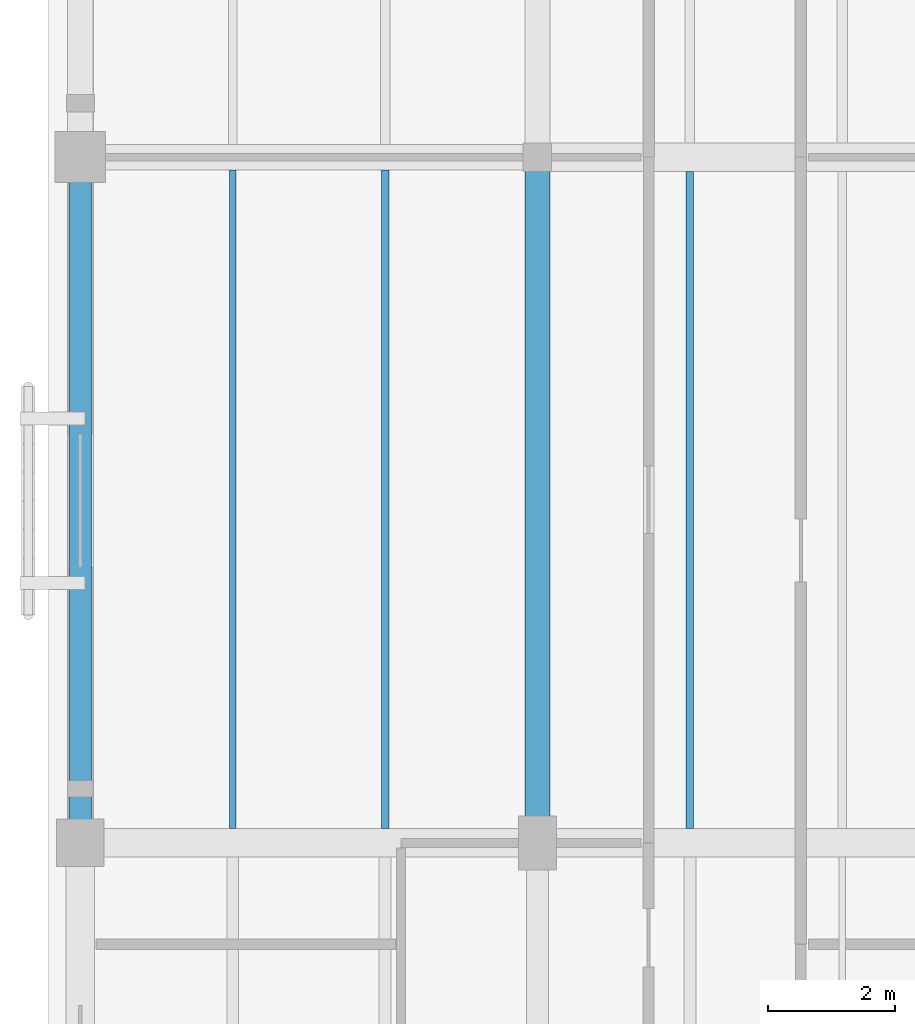
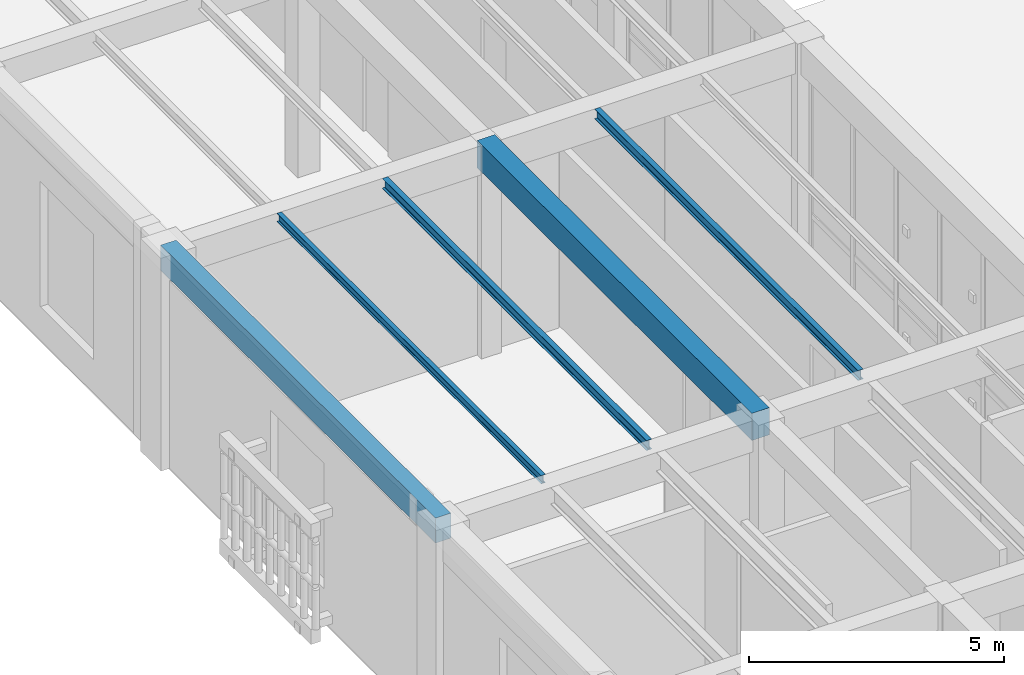
# One storey, part 29 of 169: 5 beams.
"""IFC4 building model written with IfcOpenShell, lengths in metres."""

from ifc_helpers import new_model, si_unit, direction, frame, origin, origin_2d, place, context, subcontext, project, spatial, rectangle, i_section, extrude, material, material_profile, profile_set, type_object, element, save


model = new_model("IFC4")

# Units and contexts
model_context = context("Model", 3, precision=1e-05, world=origin(), true_north=direction((0.0, 1.0)))
body_context = subcontext(model_context, "Body", "Model", "MODEL_VIEW")
ifc_project = project(units=[si_unit("LENGTHUNIT", "METRE"), si_unit("AREAUNIT", "SQUARE_METRE"), si_unit("VOLUMEUNIT", "CUBIC_METRE"), si_unit("PLANEANGLEUNIT", "RADIAN"), si_unit("MASSUNIT", "GRAM", prefix="KILO")], contexts=[model_context])

# Site, building, storey
site_placement = place(None, origin())
site = spatial("IfcSite", under=ifc_project, at=site_placement, CompositionType="ELEMENT")
building_placement = place(site_placement, origin())
building = spatial("IfcBuilding", under=site, at=building_placement, Name="Mazaris Harbour Polytechnic", CompositionType="ELEMENT")
storey_placement = place(building_placement, origin())
storey = spatial("IfcBuildingStorey", under=building, at=storey_placement, Name="L00", CompositionType="ELEMENT", Elevation=0.0)

# Beams
ifc_material_1 = material(Name="Concrete C35/45", Category="concrete")
ifc_material_profile_1 = material_profile(ifc_material_1, rectangle(XDim=0.35009765625, YDim=0.60009765625, at=origin_2d()), Name="RECT350x600")
ifc_profile_set_1 = profile_set([ifc_material_profile_1], Name="Concrete C35/45")
beam_type_1 = type_object("IfcBeamType", Name="RC Girder 350x600 Exterior", PredefinedType="BEAM", material=ifc_profile_set_1)
beam_1_placement = place(storey_placement, frame((0.0, 43.199951171875, 4.800048828125), z_axis=(0.0, 1.0, 0.0), x_axis=(-1.0, 0.0, 0.0)))
element("IfcBeam", 1, at=beam_1_placement, inside=storey, type_object=beam_type_1, Name="V4 L00 Tie Girder 1430", PredefinedType="BEAM", context=body_context, shape_type="SweptSolid", body=[
    extrude(rectangle(XDim=0.35009765625, YDim=0.60009765625, at=origin_2d()), origin(), (0.0, 0.0, 1.0), 10.800048828125),
])
ifc_material_2 = material(Name="Concrete C35/45", Category="concrete")
ifc_material_profile_2 = material_profile(ifc_material_2, rectangle(XDim=0.39990234375, YDim=0.64990234375, at=origin_2d()), Name="RECT400x650")
ifc_profile_set_2 = profile_set([ifc_material_profile_2], Name="Concrete C35/45")
beam_type_2 = type_object("IfcBeamType", Name="RC Girder 400x650", PredefinedType="BEAM", material=ifc_profile_set_2)
beam_2_placement = place(storey_placement, frame((7.199951171875, 43.199951171875, 4.77490234375), z_axis=(0.0, 1.0, 0.0), x_axis=(-1.0, 0.0, 0.0)))
element("IfcBeam", 2, at=beam_2_placement, inside=storey, type_object=beam_type_2, Name="V4 L00 Tie Girder 1441", PredefinedType="BEAM", context=body_context, shape_type="SweptSolid", body=[
    extrude(rectangle(XDim=0.39990234375, YDim=0.64990234375, at=origin_2d()), origin(), (0.0, 0.0, 1.0), 10.800048828125),
])
ifc_material_3 = material(Name="Steel S355", Category="steel")
ifc_material_profile_3 = material_profile(ifc_material_3, i_section(OverallWidth=0.10009765625, OverallDepth=0.199951171875, WebThickness=0.005615234375, FlangeThickness=0.008544921875, FilletRadius=0.011962890625, at=origin_2d()), Name="IPE 200")
ifc_profile_set_3 = profile_set([ifc_material_profile_3], Name="Steel S355")
beam_type_3 = type_object("IfcBeamType", Name="Steel Joist IPE200", PredefinedType="JOIST", material=ifc_profile_set_3)
beam_3_placement = place(storey_placement, frame((2.39990234375, 43.425048828125, 5.0), z_axis=(0.0, 1.0, 0.0), x_axis=(-1.0, 0.0, 0.0)))
element("IfcBeam", 3, at=beam_3_placement, inside=storey, type_object=beam_type_3, Name="V4 L00 Floor Joist 1512", PredefinedType="JOIST", context=body_context, shape_type="SweptSolid", body=[
    extrude(i_section(OverallWidth=0.10009765625, OverallDepth=0.199951171875, WebThickness=0.005615234375, FlangeThickness=0.008544921875, FilletRadius=0.011962890625, at=origin_2d()), origin(), (0.0, 0.0, 1.0), 10.375),
])
ifc_material_4 = material(Name="Steel S355", Category="steel")
ifc_material_profile_4 = material_profile(ifc_material_4, i_section(OverallWidth=0.1201171875, OverallDepth=0.239990234375, WebThickness=0.006103515625, FlangeThickness=0.009765625, FilletRadius=0.014892578125, at=origin_2d()), Name="IPE 240")
ifc_profile_set_4 = profile_set([ifc_material_profile_4], Name="Steel S355")
beam_type_4 = type_object("IfcBeamType", Name="Steel Joist IPE240", PredefinedType="JOIST", material=ifc_profile_set_4)
beam_4_placement = place(storey_placement, frame((4.800048828125, 43.425048828125, 4.97998046875), z_axis=(0.0, 1.0, 0.0), x_axis=(-1.0, 0.0, 0.0)))
element("IfcBeam", 4, at=beam_4_placement, inside=storey, type_object=beam_type_4, Name="V4 L00 Floor Joist 1513", PredefinedType="JOIST", context=body_context, shape_type="SweptSolid", body=[
    extrude(i_section(OverallWidth=0.1201171875, OverallDepth=0.239990234375, WebThickness=0.006103515625, FlangeThickness=0.009765625, FilletRadius=0.014892578125, at=origin_2d()), origin(), (0.0, 0.0, 1.0), 10.375),
])
beam_5_placement = place(storey_placement, frame((9.60009765625, 43.425048828125, 4.97998046875), z_axis=(0.0, 1.0, 0.0), x_axis=(-1.0, 0.0, 0.0)))
element("IfcBeam", 5, at=beam_5_placement, inside=storey, type_object=beam_type_4, Name="V4 L00 Floor Joist 1534", PredefinedType="JOIST", context=body_context, shape_type="SweptSolid", body=[
    extrude(i_section(OverallWidth=0.1201171875, OverallDepth=0.239990234375, WebThickness=0.006103515625, FlangeThickness=0.009765625, FilletRadius=0.014892578125, at=origin_2d()), origin(), (0.0, 0.0, 1.0), 10.349853515625),
])

save(model, "model.ifc")
